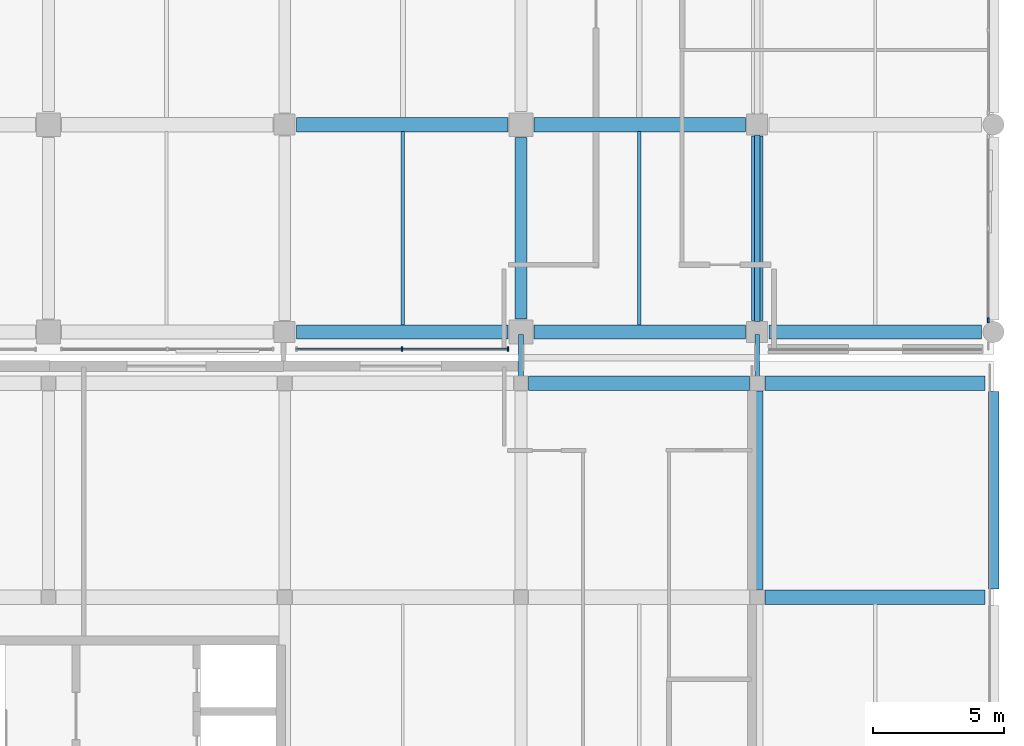
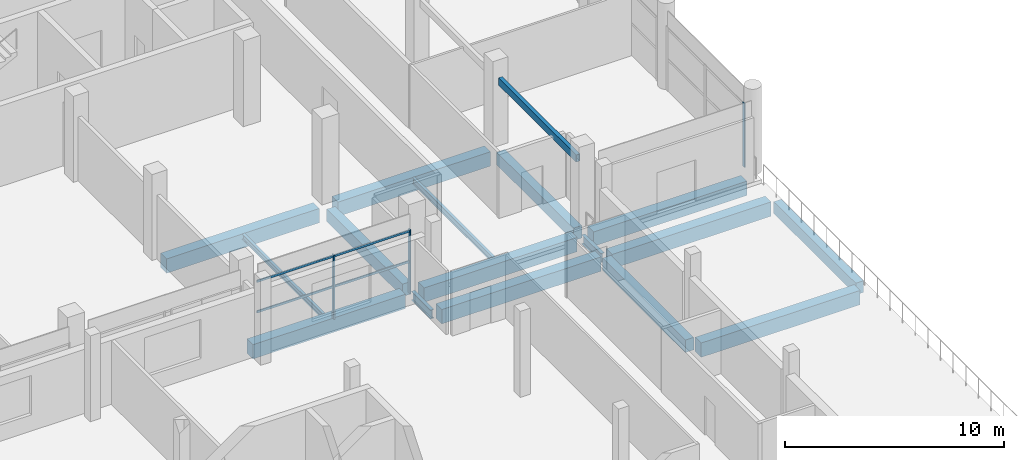
# One storey, part 30 of 111: 16 beams, 6 members, 2 elements without a shape of their own.
"""IFC4 building model written with IfcOpenShell, lengths in metres."""

from ifc_helpers import new_model, si_unit, direction, frame, origin, origin_2d, place, context, subcontext, project, spatial, rectangle, hollow_rectangle, i_section, extrude, material, material_profile, profile_set, type_object, element, aggregate, save


model = new_model("IFC4")

# Units and contexts
model_context = context("Model", 3, precision=1e-05, world=origin(), true_north=direction((0.0, 1.0)))
body_context = subcontext(model_context, "Body", "Model", "MODEL_VIEW")
ifc_project = project(units=[si_unit("LENGTHUNIT", "METRE"), si_unit("AREAUNIT", "SQUARE_METRE"), si_unit("VOLUMEUNIT", "CUBIC_METRE"), si_unit("PLANEANGLEUNIT", "RADIAN"), si_unit("MASSUNIT", "GRAM", prefix="KILO"), si_unit("THERMODYNAMICTEMPERATUREUNIT", "KELVIN"), si_unit("POWERUNIT", "WATT")], contexts=[model_context])

# Site, building, storey
site_placement = place(None, origin())
site = spatial("IfcSite", under=ifc_project, at=site_placement, CompositionType="ELEMENT")
building_placement = place(site_placement, origin())
building = spatial("IfcBuilding", under=site, at=building_placement, Name="Sindhuravela Promenade Stadium", CompositionType="ELEMENT")
storey_placement = place(building_placement, frame((0.0, 0.0, 9.60009765625)))
storey = spatial("IfcBuildingStorey", under=building, at=storey_placement, Name="L02", CompositionType="ELEMENT", Elevation=9.60009765625)

# Curtain wall, member
ifc_material_1 = material(Name="Anodised architectural aluminium 6063-T6", Category="aluminium")
curtain_wall_type_1 = type_object("IfcCurtainWallType", Name="CW-MOD-5", PredefinedType="NOTDEFINED", material=ifc_material_1)
curtain_wall_1_placement = place(storey_placement, origin())
curtain_wall_1 = element("IfcCurtainWall", 1, at=curtain_wall_1_placement, inside=storey, type_object=curtain_wall_type_1, Name="Bronze curtain wall CW-EAST-L02-116", PredefinedType="NOTDEFINED")
ifc_material_profile_1 = material_profile(ifc_material_1, rectangle(XDim=0.06005859375, YDim=0.179931640625, at=origin_2d()), Name="ALU M60x180")
ifc_profile_set_1 = profile_set([ifc_material_profile_1], Name="Anodised architectural aluminium 6063-T6")
member_type_1 = type_object("IfcMemberType", Name="CW-MUL-3", PredefinedType="MULLION", material=ifc_profile_set_1)
member_1_placement = place(storey_placement, frame((215.800048828125, 37.550048828125, 0.0), z_axis=(0.0, 0.0, 1.0), x_axis=(1.0, 0.0, 0.0)))
member_1 = element("IfcMember", 2, at=member_1_placement, type_object=member_type_1, Name="Curtain wall mullion CW-EAST-L02-116-M3", PredefinedType="MULLION", context=body_context, shape_type="SweptSolid", body=[
    extrude(rectangle(XDim=0.06005859375, YDim=0.179931640625, at=origin_2d()), origin(), (0.0, 0.0, 1.0), 3.579833984375),
])
aggregate(curtain_wall_1, [member_1])

# Curtain wall, members
curtain_wall_type_2 = type_object("IfcCurtainWallType", Name="CW-MOD-6", PredefinedType="NOTDEFINED", material=ifc_material_1)
curtain_wall_2_placement = place(storey_placement, origin())
curtain_wall_2 = element("IfcCurtainWall", 3, at=curtain_wall_2_placement, inside=storey, type_object=curtain_wall_type_2, Name="Bronze curtain wall CW-EAST-L02-117", PredefinedType="NOTDEFINED")
ifc_material_profile_2 = material_profile(ifc_material_1, rectangle(XDim=0.06005859375, YDim=0.159912109375, at=origin_2d()), Name="ALU M60x160")
ifc_profile_set_2 = profile_set([ifc_material_profile_2], Name="Anodised architectural aluminium 6063-T6")
member_type_2 = type_object("IfcMemberType", Name="CW-MUL-4", PredefinedType="MULLION", material=ifc_profile_set_2)
member_2_placement = place(storey_placement, frame((197.5, 36.449951171875, 0.0), z_axis=(0.0, 0.0, 1.0), x_axis=(1.0, 0.0, 0.0)))
member_2 = element("IfcMember", 4, at=member_2_placement, type_object=member_type_2, Name="Curtain wall mullion CW-EAST-L02-117-M1", PredefinedType="MULLION", context=body_context, shape_type="SweptSolid", body=[
    extrude(rectangle(XDim=0.06005859375, YDim=0.159912109375, at=origin_2d()), origin(), (0.0, 0.0, 1.0), 3.579833984375),
])
member_3_placement = place(storey_placement, frame((193.47509765625, 36.449951171875, 0.0), z_axis=(0.0, 0.0, 1.0), x_axis=(1.0, 0.0, 0.0)))
member_3 = element("IfcMember", 5, at=member_3_placement, type_object=member_type_2, Name="Curtain wall mullion CW-EAST-L02-117-M2", PredefinedType="MULLION", context=body_context, shape_type="SweptSolid", body=[
    extrude(rectangle(XDim=0.06005859375, YDim=0.159912109375, at=origin_2d()), origin(), (0.0, 0.0, 1.0), 3.579833984375),
])
ifc_material_profile_3 = material_profile(ifc_material_1, rectangle(XDim=0.06005859375, YDim=0.1201171875, at=origin_2d()), Name="ALU T60x120")
ifc_profile_set_3 = profile_set([ifc_material_profile_3], Name="Anodised architectural aluminium 6063-T6")
member_type_3 = type_object("IfcMemberType", Name="CW-TRN-4", PredefinedType="USERDEFINED", material=ifc_profile_set_3)
member_4_placement = place(storey_placement, frame((197.52490234375, 36.449951171875, 1.789794921875), z_axis=(-1.0, 0.0, 0.0), x_axis=(0.0, -1.0, 0.0)))
member_4 = element("IfcMember", 6, at=member_4_placement, type_object=member_type_3, Name="Curtain wall transom CW-EAST-L02-117-T1", ObjectType="TRANSOM", PredefinedType="USERDEFINED", context=body_context, shape_type="SweptSolid", body=[
    extrude(rectangle(XDim=0.06005859375, YDim=0.1201171875, at=origin_2d()), origin(), (0.0, 0.0, 1.0), 8.099853515625),
])
member_5_placement = place(storey_placement, frame((197.52490234375, 36.449951171875, 3.5), z_axis=(-1.0, 0.0, 0.0), x_axis=(0.0, -1.0, 0.0)))
member_5 = element("IfcMember", 7, at=member_5_placement, type_object=member_type_3, Name="Curtain wall transom CW-EAST-L02-117-T2", ObjectType="TRANSOM", PredefinedType="USERDEFINED", context=body_context, shape_type="SweptSolid", body=[
    extrude(rectangle(XDim=0.06005859375, YDim=0.1201171875, at=origin_2d()), origin(), (0.0, 0.0, 1.0), 8.099853515625),
])
aggregate(curtain_wall_2, [member_2, member_3, member_4, member_5])

# Beams
ifc_material_2 = material(Name="Concrete M40", Category="concrete")
ifc_material_profile_4 = material_profile(ifc_material_2, rectangle(XDim=0.39990234375, YDim=0.64990234375, at=origin_2d()), Name="RC 400x650")
ifc_profile_set_4 = profile_set([ifc_material_profile_4], Name="Concrete M40")
beam_type_1 = type_object("IfcBeamType", Name="RC-BM-400x650", PredefinedType="SPANDREL", material=ifc_profile_set_4)
beam_1_placement = place(storey_placement, frame((216.0, 27.31494140625, -0.635009765625), z_axis=(0.0, 1.0, 0.0), x_axis=(-1.0, 0.0, 0.0)))
element("IfcBeam", 8, at=beam_1_placement, inside=storey, type_object=beam_type_1, Name="Primary beam SP01 Pavilion SE L02", PredefinedType="SPANDREL", context=body_context, shape_type="SweptSolid", body=[
    extrude(rectangle(XDim=0.39990234375, YDim=0.64990234375, at=origin_2d()), origin(), (0.0, 0.0, 1.0), 7.52001953125),
])
ifc_material_profile_5 = material_profile(ifc_material_2, rectangle(XDim=0.449951171875, YDim=0.699951171875, at=origin_2d()), Name="RC 450x700")
ifc_profile_set_5 = profile_set([ifc_material_profile_5], Name="Concrete M40")
beam_type_2 = type_object("IfcBeamType", Name="RC-BM-450x700", PredefinedType="BEAM", material=ifc_profile_set_5)
beam_2_placement = place(storey_placement, frame((198.0, 37.590087890625, -0.630126953125), z_axis=(0.0, 1.0, 0.0), x_axis=(-1.0, 0.0, 0.0)))
element("IfcBeam", 9, at=beam_2_placement, inside=storey, type_object=beam_type_2, Name="Primary beam GB07 EAST L02", PredefinedType="BEAM", context=body_context, shape_type="SweptSolid", body=[
    extrude(rectangle(XDim=0.449951171875, YDim=0.699951171875, at=origin_2d()), origin(), (0.0, 0.0, 1.0), 6.919921875),
])
beam_3_placement = place(storey_placement, frame((207.0, 37.5400390625, -0.630126953125), z_axis=(0.0, 1.0, 0.0), x_axis=(-1.0, 0.0, 0.0)))
element("IfcBeam", 10, at=beam_3_placement, inside=storey, type_object=beam_type_2, Name="Primary beam GB07 EAST L02", PredefinedType="BEAM", context=body_context, shape_type="SweptSolid", body=[
    extrude(rectangle(XDim=0.449951171875, YDim=0.699951171875, at=origin_2d()), origin(), (0.0, 0.0, 1.0), 7.02001953125),
])
beam_4_placement = place(storey_placement, frame((207.0, 27.2900390625, -0.66015625), z_axis=(0.0, 1.0, 0.0), x_axis=(-1.0, 0.0, 0.0)))
element("IfcBeam", 11, at=beam_4_placement, inside=storey, type_object=beam_type_2, Name="Primary beam GB07 Pavilion SE L02", PredefinedType="BEAM", context=body_context, shape_type="SweptSolid", body=[
    extrude(rectangle(XDim=0.449951171875, YDim=0.699951171875, at=origin_2d()), origin(), (0.0, 0.0, 1.0), 7.570068359375),
])
ifc_material_profile_6 = material_profile(ifc_material_2, rectangle(XDim=0.550048828125, YDim=0.800048828125, at=origin_2d()), Name="RC 550x800")
ifc_profile_set_6 = profile_set([ifc_material_profile_6], Name="Concrete M40")
beam_type_3 = type_object("IfcBeamType", Name="RC-BM-550x800", PredefinedType="BEAM", material=ifc_profile_set_6)
for number, where, z_axis, x_axis, name in (
    (12, (189.43994140625, 37.10009765625, -0.68017578125), (1.0, 0.0, 0.0), (0.0, 1.0, 0.0), "Primary girder GB05 EAST L02"),
    (13, (198.489990234375, 37.10009765625, -0.68017578125), (1.0, 0.0, 0.0), (0.0, 1.0, 0.0), "Primary girder GB05 EAST L02"),
):
    element("IfcBeam", number, at=place(storey_placement, frame(where, z_axis=z_axis, x_axis=x_axis)), inside=storey, type_object=beam_type_3, Name=name, PredefinedType="BEAM", context=body_context, shape_type="SweptSolid", body=[
        extrude(rectangle(XDim=0.550048828125, YDim=0.800048828125, at=origin_2d()), origin(), (0.0, 0.0, 1.0), 8.070068359375),
    ])
beam_5_placement = place(storey_placement, frame((207.43994140625, 37.10009765625, -0.68017578125), z_axis=(1.0, 0.0, 0.0), x_axis=(0.0, 1.0, 0.0)))
element("IfcBeam", 14, at=beam_5_placement, inside=storey, type_object=beam_type_3, Name="Primary girder GB05 EAST L02", PredefinedType="BEAM", context=body_context, shape_type="SweptSolid", body=[
    extrude(rectangle(XDim=0.550048828125, YDim=0.800048828125, at=origin_2d()), origin(), (0.0, 0.0, 1.0), 8.094970703125),
])
for number, where, z_axis, x_axis, name in (
    (15, (189.43994140625, 45.0, -0.68017578125), (1.0, 0.0, 0.0), (0.0, 1.0, 0.0), "Primary girder GB05 EAST L02"),
    (16, (198.489990234375, 45.0, -0.68017578125), (1.0, 0.0, 0.0), (0.0, 1.0, 0.0), "Primary girder GB05 EAST L02"),
):
    element("IfcBeam", number, at=place(storey_placement, frame(where, z_axis=z_axis, x_axis=x_axis)), inside=storey, type_object=beam_type_3, Name=name, PredefinedType="BEAM", context=body_context, shape_type="SweptSolid", body=[
        extrude(rectangle(XDim=0.550048828125, YDim=0.800048828125, at=origin_2d()), origin(), (0.0, 0.0, 1.0), 8.070068359375),
    ])
beam_6_placement = place(storey_placement, frame((207.2900390625, 27.0, -0.710205078125), z_axis=(1.0, 0.0, 0.0), x_axis=(0.0, 1.0, 0.0)))
element("IfcBeam", 17, at=beam_6_placement, inside=storey, type_object=beam_type_3, Name="Primary girder GB05 Pavilion SE L02", PredefinedType="BEAM", context=body_context, shape_type="SweptSolid", body=[
    extrude(rectangle(XDim=0.550048828125, YDim=0.800048828125, at=origin_2d()), origin(), (0.0, 0.0, 1.0), 8.39501953125),
])
beam_7_placement = place(storey_placement, frame((198.2900390625, 35.14990234375, -0.635009765625), z_axis=(1.0, 0.0, 0.0), x_axis=(0.0, 1.0, 0.0)))
element("IfcBeam", 18, at=beam_7_placement, inside=storey, type_object=beam_type_3, Name="Primary girder GB05 Pavilion SE L02", PredefinedType="BEAM", context=body_context, shape_type="SweptSolid", body=[
    extrude(rectangle(XDim=0.550048828125, YDim=0.800048828125, at=origin_2d()), origin(), (0.0, 0.0, 1.0), 8.419921875),
])
beam_8_placement = place(storey_placement, frame((207.2900390625, 35.14990234375, -0.710205078125), z_axis=(1.0, 0.0, 0.0), x_axis=(0.0, 1.0, 0.0)))
element("IfcBeam", 19, at=beam_8_placement, inside=storey, type_object=beam_type_3, Name="Primary girder GB05 Pavilion SE L02", PredefinedType="BEAM", context=body_context, shape_type="SweptSolid", body=[
    extrude(rectangle(XDim=0.550048828125, YDim=0.800048828125, at=origin_2d()), origin(), (0.0, 0.0, 1.0), 8.39501953125),
])
ifc_material_3 = material(Name="Steel E350 (IS 2062 E350BR)", Category="steel")
ifc_material_profile_7 = material_profile(ifc_material_3, i_section(OverallWidth=0.139892578125, OverallDepth=0.300048828125, WebThickness=0.0078125, FlangeThickness=0.01318359375, FilletRadius=0.013916015625, at=origin_2d()), Name="ISMB 300")
ifc_profile_set_7 = profile_set([ifc_material_profile_7], Name="Steel E350 (IS 2062 E350BR)")
beam_type_4 = type_object("IfcBeamType", Name="ST-BM-MB300", PredefinedType="JOIST", material=ifc_profile_set_7)
beam_9_placement = place(storey_placement, frame((193.5, 37.364990234375, -0.43017578125), z_axis=(0.0, 1.0, 0.0), x_axis=(-1.0, 0.0, 0.0)))
element("IfcBeam", 20, at=beam_9_placement, inside=storey, type_object=beam_type_4, Name="Secondary floor joist SB03 EAST L02", PredefinedType="JOIST", context=body_context, shape_type="SweptSolid", body=[
    extrude(i_section(OverallWidth=0.139892578125, OverallDepth=0.300048828125, WebThickness=0.0078125, FlangeThickness=0.01318359375, FilletRadius=0.013916015625, at=origin_2d()), origin(), (0.0, 0.0, 1.0), 7.3701171875),
])
ifc_material_profile_8 = material_profile(ifc_material_3, i_section(OverallWidth=0.139892578125, OverallDepth=0.35009765625, WebThickness=0.008056640625, FlangeThickness=0.01416015625, FilletRadius=0.013916015625, at=origin_2d()), Name="ISMB 350")
ifc_profile_set_8 = profile_set([ifc_material_profile_8], Name="Steel E350 (IS 2062 E350BR)")
beam_type_5 = type_object("IfcBeamType", Name="ST-BM-MB350", PredefinedType="JOIST", material=ifc_profile_set_8)
beam_10_placement = place(storey_placement, frame((202.5, 37.364990234375, -0.455078125), z_axis=(0.0, 1.0, 0.0), x_axis=(-1.0, 0.0, 0.0)))
element("IfcBeam", 21, at=beam_10_placement, inside=storey, type_object=beam_type_5, Name="Secondary floor joist SB04 EAST L02", PredefinedType="JOIST", context=body_context, shape_type="SweptSolid", body=[
    extrude(i_section(OverallWidth=0.139892578125, OverallDepth=0.35009765625, WebThickness=0.008056640625, FlangeThickness=0.01416015625, FilletRadius=0.013916015625, at=origin_2d()), origin(), (0.0, 0.0, 1.0), 7.3701171875),
])
ifc_material_profile_9 = material_profile(ifc_material_3, i_section(OverallWidth=0.179931640625, OverallDepth=0.5, WebThickness=0.01025390625, FlangeThickness=0.01708984375, FilletRadius=0.01708984375, at=origin_2d()), Name="ISMB 500")
ifc_profile_set_9 = profile_set([ifc_material_profile_9], Name="Steel E350 (IS 2062 E350BR)")
beam_type_6 = type_object("IfcBeamType", Name="ST-BM-MB500", PredefinedType="BEAM", material=ifc_profile_set_9)
for number, where, z_axis, x_axis, name in (
    (22, (198.0, 35.25, -0.610107421875), (0.0, 1.0, 0.0), (-1.0, 0.0, 0.0), "Concourse link bridge L02 East-SE PTFE sliding girder L"),
    (23, (207.0, 35.25, -0.610107421875), (0.0, 1.0, 0.0), (-1.0, 0.0, 0.0), "Concourse link bridge L02 East-SE PTFE sliding girder R"),
):
    element("IfcBeam", number, at=place(storey_placement, frame(where, z_axis=z_axis, x_axis=x_axis)), inside=storey, type_object=beam_type_6, Name=name, PredefinedType="BEAM", context=body_context, shape_type="SweptSolid", body=[
        extrude(i_section(OverallWidth=0.179931640625, OverallDepth=0.5, WebThickness=0.01025390625, FlangeThickness=0.01708984375, FilletRadius=0.01708984375, at=origin_2d()), origin(), (0.0, 0.0, 1.0), 1.75),
    ])

# Member
ifc_material_profile_10 = material_profile(ifc_material_3, hollow_rectangle(XDim=0.199951171875, YDim=0.39990234375, WallThickness=0.011962890625, at=origin_2d()), Name="RHS 400x200x12")
ifc_profile_set_10 = profile_set([ifc_material_profile_10], Name="Steel E350 (IS 2062 E350BR)")
member_type_4 = type_object("IfcMemberType", Name="ST-MB-RHS400", PredefinedType="CHORD", material=ifc_profile_set_10)
member_6_placement = place(storey_placement, frame((207.0, 37.491943359375, 3.599853515625), z_axis=(0.0, 1.0, 0.0), x_axis=(-1.0, 0.0, 0.0)))
element("IfcMember", 24, at=member_6_placement, inside=storey, type_object=member_type_4, Name="Portal tie member MC03-24", PredefinedType="CHORD", context=body_context, shape_type="SweptSolid", body=[
    extrude(hollow_rectangle(XDim=0.199951171875, YDim=0.39990234375, WallThickness=0.011962890625, at=origin_2d()), origin(), (0.0, 0.0, 1.0), 7.115966796875),
])

save(model, "model.ifc")
